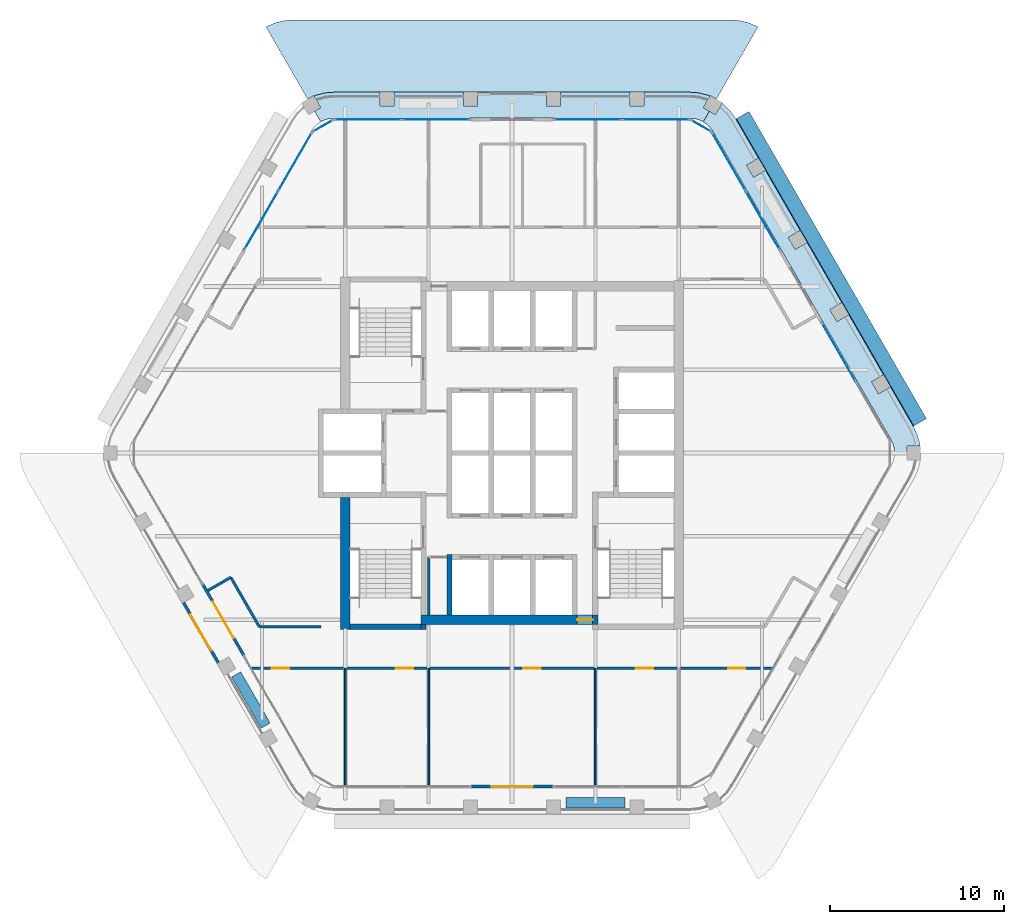
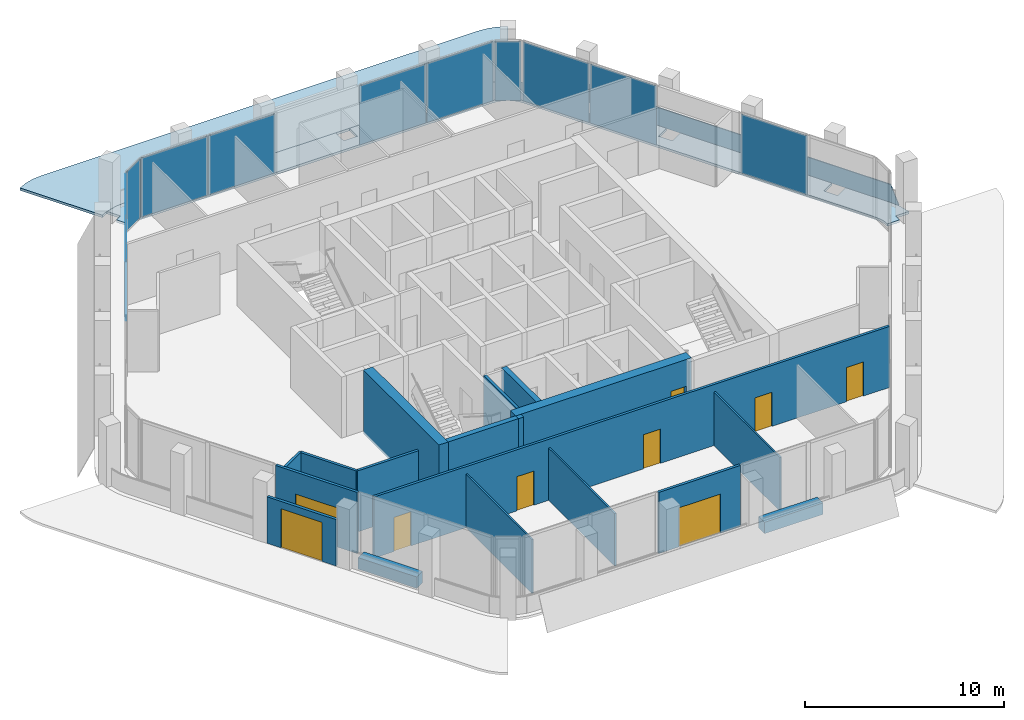
# One storey, part 7 of 14: 18 walls, 12 plates, 9 doors, 3 slabs, 9 openings, 7 elements without a shape of their own.
"""IFC4 building model written with IfcOpenShell, lengths in metres."""

from ifc_helpers import new_model, si_unit, direction, frame, frame_2d, origin, origin_2d, place, context, subcontext, project, spatial, polyline, rectangle, outline, extrude, material, layer, layer_set, type_object, element, fill, aggregate, save


model = new_model("IFC4")

# Units and contexts
model_context = context("Model", 3, precision=1e-05, world=origin(), true_north=direction((0.0, 1.0)))
body_context = subcontext(model_context, "Body", "Model", "MODEL_VIEW")
ifc_project = project(units=[si_unit("LENGTHUNIT", "METRE"), si_unit("AREAUNIT", "SQUARE_METRE"), si_unit("VOLUMEUNIT", "CUBIC_METRE"), si_unit("PLANEANGLEUNIT", "RADIAN"), si_unit("MASSUNIT", "GRAM", prefix="KILO")], contexts=[model_context])

# Site, building, storey
site_placement = place(None, origin())
site = spatial("IfcSite", under=ifc_project, at=site_placement, CompositionType="ELEMENT")
building_placement = place(site_placement, origin())
building = spatial("IfcBuilding", under=site, at=building_placement, Name="Kolab Exchange Tower", CompositionType="ELEMENT")
storey_placement = place(building_placement, frame((0.0, 0.0, 222.800048828125)))
storey = spatial("IfcBuildingStorey", under=building, at=storey_placement, Name="L48", CompositionType="ELEMENT", Elevation=222.800048828125)

# Slabs
ifc_material_1 = material(Name="Concrete C35/45", Category="concrete")
ifc_layer_1 = layer(ifc_material_1, 0.14990234375)
ifc_layer_set_1 = layer_set([ifc_layer_1], Name="Concrete C35/45")
slab_type_1 = type_object("IfcSlabType", Name="LOGGIA SLAB 150", PredefinedType="FLOOR", material=ifc_layer_set_1)
slab_1_placement = place(storey_placement, frame((0.0, 0.0, -0.150146484375)))
element("IfcSlab", 1, at=slab_1_placement, inside=storey, type_object=slab_type_1, Name="slab/L48/loggia/0-0", PredefinedType="FLOOR", context=body_context, shape_type="SweptSolid", body=[
    extrude(outline(polyline([(11.01806640625, 19.083740234375), (11.367919921875, 19.68994140625), (11.021484375, 19.889892578125), (11.404052734375, 20.552490234375), (11.2939453125, 20.603759765625), (10.788818359375, 20.739013671875), (10.26806640625, 20.78466796875), (7.60009765625, 20.78466796875), (7.60009765625, 19.984619140625), (6.800048828125, 19.984619140625), (6.800048828125, 20.78466796875), (2.800048828125, 20.78466796875), (2.800048828125, 19.984619140625), (2.0, 19.984619140625), (2.0, 20.78466796875), (-2.0, 20.78466796875), (-2.0, 19.984619140625), (-2.800048828125, 19.984619140625), (-2.800048828125, 20.78466796875), (-6.800048828125, 20.78466796875), (-6.800048828125, 19.984619140625), (-7.60009765625, 19.984619140625), (-7.60009765625, 20.78466796875), (-10.26806640625, 20.78466796875), (-10.788818359375, 20.739013671875), (-11.2939453125, 20.603759765625), (-11.404052734375, 20.552490234375), (-11.021484375, 19.889892578125), (-11.367919921875, 19.68994140625), (-11.01806640625, 19.083740234375), (-10.781005859375, 19.194091796875), (-10.5283203125, 19.26171875), (-10.26806640625, 19.28466796875), (10.26806640625, 19.28466796875), (10.5283203125, 19.26171875), (10.781005859375, 19.194091796875), (11.01806640625, 19.083740234375)])), origin(), (0.0, 0.0, 1.0), 0.150146484375),
])
slab_2_placement = place(storey_placement, frame((0.0, 0.0, -0.150146484375)))
element("IfcSlab", 2, at=slab_2_placement, inside=storey, type_object=slab_type_1, Name="slab/L48/loggia/1-0", PredefinedType="FLOOR", context=body_context, shape_type="SweptSolid", body=[
    extrude(outline(polyline([(22.035888671875, 0.0), (22.73583984375, 0.0), (22.73583984375, 0.39990234375), (23.5009765625, 0.39990234375), (23.490234375, 0.52099609375), (23.35498046875, 1.026123046875), (23.134033203125, 1.5), (21.800048828125, 3.810546875), (21.107177734375, 3.410400390625), (20.707275390625, 4.103271484375), (21.39990234375, 4.50341796875), (19.39990234375, 7.967529296875), (18.707275390625, 7.5673828125), (18.30712890625, 8.26025390625), (19.0, 8.66015625), (17.0, 12.124267578125), (16.30712890625, 11.724365234375), (15.9072265625, 12.417236328125), (16.60009765625, 12.817138671875), (14.60009765625, 16.28125), (13.9072265625, 15.88134765625), (13.507080078125, 16.57421875), (14.199951171875, 16.97412109375), (12.865966796875, 19.28466796875), (12.566162109375, 19.712890625), (12.1962890625, 20.082763671875), (12.096923828125, 20.15234375), (11.71435546875, 19.48974609375), (11.367919921875, 19.68994140625), (11.01806640625, 19.083740234375), (11.232177734375, 18.93359375), (11.4169921875, 18.748779296875), (11.56689453125, 18.53466796875), (21.8349609375, 0.75), (21.945556640625, 0.512939453125), (22.01318359375, 0.260498046875), (22.035888671875, 0.0)])), origin(), (0.0, 0.0, 1.0), 0.150146484375),
])

# Plate
ifc_material_2 = material(Name="Laminated glass, clear", Category="glass")
ifc_layer_2 = layer(ifc_material_2, 0.0400390625)
ifc_layer_set_2 = layer_set([ifc_layer_2], Name="Laminated glass, clear")
plate_type_1 = type_object("IfcPlateType", Name="OUTER SKIN LAMINATED GLASS SHEET 40", PredefinedType="SHEET", material=ifc_layer_set_2)
plate_1_placement = place(storey_placement, frame((13.6494140625, 19.67919921875, -0.68310546875), z_axis=(0.784886322863, 0.453152182031, 0.422618693508), x_axis=(0.499997422494, -0.866026891901, 1.981408e-06)))
element("IfcPlate", 3, at=plate_1_placement, inside=storey, type_object=plate_type_1, Name="Outer skin", PredefinedType="SHEET", context=body_context, shape_type="SweptSolid", body=[
    extrude(outline(polyline([(0.0, 0.0), (20.435802623779963, 0.0), (20.435856947346753, -1.9860898935068516), (-6.774611643567295e-05, -1.9861792489881693), (0.0, 0.0)])), origin(), (0.0, 0.0, -1.0), 0.0400390625),
])

# Slab
ifc_layer_3 = layer(ifc_material_1, 0.14990234375)
ifc_layer_set_3 = layer_set([ifc_layer_3], Name="Concrete C35/45")
slab_type_2 = type_object("IfcSlabType", Name="TERRACE SLAB 150 PLANTED", PredefinedType="ROOF", material=ifc_layer_set_3)
slab_3_placement = place(storey_placement, frame((0.0, 0.0, -0.150146484375)))
element("IfcSlab", 4, at=slab_3_placement, inside=storey, type_object=slab_type_2, Name="slab/L47/ledge-L48-F1/0", PredefinedType="ROOF", context=body_context, shape_type="SweptSolid", body=[
    extrude(outline(polyline([(-14.16796875, 24.53955078125), (-11.76806640625, 20.382568359375), (-11.421630859375, 20.582763671875), (-11.404052734375, 20.552490234375), (-11.2939453125, 20.603759765625), (-10.788818359375, 20.739013671875), (-10.26806640625, 20.78466796875), (10.26806640625, 20.78466796875), (10.788818359375, 20.739013671875), (11.2939453125, 20.603759765625), (11.404052734375, 20.552490234375), (11.421630859375, 20.582763671875), (11.76806640625, 20.382568359375), (14.16796875, 24.53955078125), (13.694091796875, 24.760498046875), (13.18896484375, 24.89599609375), (12.66796875, 24.941650390625), (-12.66796875, 24.941650390625), (-13.18896484375, 24.89599609375), (-13.694091796875, 24.760498046875), (-14.16796875, 24.53955078125)])), origin(), (0.0, 0.0, 1.0), 0.150146484375),
])

# Curtain wall, plates
ifc_material_3 = material(Name="Aluminium EN AW-6063 T6", Category="aluminium")
curtain_wall_type = type_object("IfcCurtainWallType", Name="UNITISED HIGH ZONE CURTAIN WALL", PredefinedType="NOTDEFINED", material=ifc_material_3)
curtain_wall_1_placement = place(storey_placement, origin())
curtain_wall_1 = element("IfcCurtainWall", 5, at=curtain_wall_1_placement, inside=storey, type_object=curtain_wall_type, Name="cw/L48/F1-1", PredefinedType="NOTDEFINED")
ifc_material_4 = material(Name="Clear insulated glazing unit", Category="glass")
ifc_layer_4 = layer(ifc_material_4, 0.030029296875)
ifc_layer_set_4 = layer_set([ifc_layer_4], Name="Clear insulated glazing unit")
plate_type_2 = type_object("IfcPlateType", Name="UNITISED HIGH ZONE GLASS PANEL 30", PredefinedType="CURTAIN_PANEL", material=ifc_layer_set_4)
plate_2_placement = place(storey_placement, frame((-8.285888671875, 19.20458984375, 0.06005859375), z_axis=(0.0, 0.0, 1.0), x_axis=(1.0, 0.0, 0.0)))
plate_2 = element("IfcPlate", 6, at=plate_2_placement, type_object=plate_type_2, Name="CW4 panel 1.1", PredefinedType="CURTAIN_PANEL", context=body_context, shape_type="SweptSolid", body=[
    extrude(rectangle(XDim=3.843994140625, YDim=0.030029296875, at=origin_2d()), origin(), (0.0, 0.0, 1.0), 3.6298828125),
])
plate_3_placement = place(storey_placement, frame((-4.382080078125, 19.20458984375, 0.06005859375), z_axis=(0.0, 0.0, 1.0), x_axis=(1.0, 0.0, 0.0)))
plate_3 = element("IfcPlate", 7, at=plate_3_placement, type_object=plate_type_2, Name="CW4 panel 2.1", PredefinedType="CURTAIN_PANEL", context=body_context, shape_type="SweptSolid", body=[
    extrude(rectangle(XDim=3.843994140625, YDim=0.030029296875, at=origin_2d()), origin(), (0.0, 0.0, 1.0), 3.6298828125),
])
aggregate(curtain_wall_1, [plate_2, plate_3])

curtain_wall_2_placement = place(storey_placement, origin())
curtain_wall_2 = element("IfcCurtainWall", 8, at=curtain_wall_2_placement, inside=storey, type_object=curtain_wall_type, Name="cw/L48/F1-2", PredefinedType="NOTDEFINED")
plate_4_placement = place(storey_placement, frame((4.382080078125, 19.20458984375, 0.06005859375), z_axis=(0.0, 0.0, 1.0), x_axis=(1.0, 0.0, 0.0)))
plate_4 = element("IfcPlate", 9, at=plate_4_placement, type_object=plate_type_2, Name="CW4 panel 1.1", PredefinedType="CURTAIN_PANEL", context=body_context, shape_type="SweptSolid", body=[
    extrude(rectangle(XDim=3.843994140625, YDim=0.030029296875, at=origin_2d()), origin(), (0.0, 0.0, 1.0), 3.6298828125),
])
plate_5_placement = place(storey_placement, frame((8.285888671875, 19.20458984375, 0.06005859375), z_axis=(0.0, 0.0, 1.0), x_axis=(1.0, 0.0, 0.0)))
plate_5 = element("IfcPlate", 10, at=plate_5_placement, type_object=plate_type_2, Name="CW4 panel 2.1", PredefinedType="CURTAIN_PANEL", context=body_context, shape_type="SweptSolid", body=[
    extrude(rectangle(XDim=3.843994140625, YDim=0.030029296875, at=origin_2d()), origin(), (0.0, 0.0, 1.0), 3.6298828125),
])
aggregate(curtain_wall_2, [plate_4, plate_5])

curtain_wall_3_placement = place(storey_placement, origin())
curtain_wall_3 = element("IfcCurtainWall", 11, at=curtain_wall_3_placement, inside=storey, type_object=curtain_wall_type, Name="cw/L48/F2-1", PredefinedType="NOTDEFINED")
plate_6_placement = place(storey_placement, frame((12.48876953125, 16.778076171875, 0.06005859375), z_axis=(0.0, 0.0, 1.0), x_axis=(0.500000031681, -0.866025385493, 0.0)))
plate_6 = element("IfcPlate", 12, at=plate_6_placement, type_object=plate_type_2, Name="CW4 panel 1.1", PredefinedType="CURTAIN_PANEL", context=body_context, shape_type="SweptSolid", body=[
    extrude(rectangle(XDim=3.843994140625, YDim=0.030029296875, at=origin_2d()), origin(), (0.0, 0.0, 1.0), 3.6298828125),
])
plate_7_placement = place(storey_placement, frame((14.440673828125, 13.397216796875, 0.06005859375), z_axis=(0.0, 0.0, 1.0), x_axis=(0.500000031681, -0.866025385493, 0.0)))
plate_7 = element("IfcPlate", 13, at=plate_7_placement, type_object=plate_type_2, Name="CW4 panel 2.1", PredefinedType="CURTAIN_PANEL", context=body_context, shape_type="SweptSolid", body=[
    extrude(rectangle(XDim=3.843994140625, YDim=0.030029296875, at=origin_2d()), origin(), (0.0, 0.0, 1.0), 3.6298828125),
])
aggregate(curtain_wall_3, [plate_6, plate_7])

# Curtain wall, plate
curtain_wall_4_placement = place(storey_placement, origin())
curtain_wall_4 = element("IfcCurtainWall", 14, at=curtain_wall_4_placement, inside=storey, type_object=curtain_wall_type, Name="cw/L48/F2-2", PredefinedType="NOTDEFINED")
plate_8_placement = place(storey_placement, frame((18.82275390625, 5.807373046875, 0.06005859375), z_axis=(0.0, 0.0, 1.0), x_axis=(0.499999936366, -0.866025440524, 0.0)))
plate_8 = element("IfcPlate", 15, at=plate_8_placement, type_object=plate_type_2, Name="CW4 panel 1.1", PredefinedType="CURTAIN_PANEL", context=body_context, shape_type="SweptSolid", body=[
    extrude(rectangle(XDim=3.843994140625, YDim=0.030029296875, at=origin_2d()), origin(), (0.0, 0.0, 1.0), 3.6298828125),
])
aggregate(curtain_wall_4, [plate_8])

# Curtain wall, plates
curtain_wall_5_placement = place(storey_placement, origin())
curtain_wall_5 = element("IfcCurtainWall", 16, at=curtain_wall_5_placement, inside=storey, type_object=curtain_wall_type, Name="cw/L48/F6-2", PredefinedType="NOTDEFINED")
plate_9_placement = place(storey_placement, frame((-14.440673828125, 13.397216796875, 0.06005859375), z_axis=(0.0, 0.0, 1.0), x_axis=(0.500000031681, 0.866025385493, 0.0)))
plate_9 = element("IfcPlate", 17, at=plate_9_placement, type_object=plate_type_2, Name="CW4 panel 1.1", PredefinedType="CURTAIN_PANEL", context=body_context, shape_type="SweptSolid", body=[
    extrude(rectangle(XDim=3.843994140625, YDim=0.030029296875, at=origin_2d()), origin(), (0.0, 0.0, 1.0), 3.6298828125),
])
plate_10_placement = place(storey_placement, frame((-12.48876953125, 16.778076171875, 0.06005859375), z_axis=(0.0, 0.0, 1.0), x_axis=(0.500000031681, 0.866025385493, 0.0)))
plate_10 = element("IfcPlate", 18, at=plate_10_placement, type_object=plate_type_2, Name="CW4 panel 2.1", PredefinedType="CURTAIN_PANEL", context=body_context, shape_type="SweptSolid", body=[
    extrude(rectangle(XDim=3.843994140625, YDim=0.030029296875, at=origin_2d()), origin(), (0.0, 0.0, 1.0), 3.6298828125),
])
aggregate(curtain_wall_5, [plate_9, plate_10])

# Curtain wall, plate
curtain_wall_6_placement = place(storey_placement, origin())
curtain_wall_6 = element("IfcCurtainWall", 19, at=curtain_wall_6_placement, inside=storey, type_object=curtain_wall_type, Name="cw/L48/F1F2-corner", PredefinedType="NOTDEFINED")
plate_11_placement = place(storey_placement, frame((10.8828125, 18.849609375, 0.06005859375), z_axis=(0.0, 0.0, 1.0), x_axis=(0.866025390869, -0.50000002237, 0.0)))
plate_11 = element("IfcPlate", 20, at=plate_11_placement, type_object=plate_type_2, Name="CW4 panel 1.1", PredefinedType="CURTAIN_PANEL", context=body_context, shape_type="SweptSolid", body=[
    extrude(rectangle(XDim=1.300048828125, YDim=0.030029296875, at=origin_2d()), origin(), (0.0, 0.0, 1.0), 3.6298828125),
])
aggregate(curtain_wall_6, [plate_11])

curtain_wall_7_placement = place(storey_placement, origin())
curtain_wall_7 = element("IfcCurtainWall", 21, at=curtain_wall_7_placement, inside=storey, type_object=curtain_wall_type, Name="cw/L48/F6F1-corner", PredefinedType="NOTDEFINED")
plate_12_placement = place(storey_placement, frame((-10.8828125, 18.849609375, 0.06005859375), z_axis=(0.0, 0.0, 1.0), x_axis=(0.866025390869, 0.50000002237, 0.0)))
plate_12 = element("IfcPlate", 22, at=plate_12_placement, type_object=plate_type_2, Name="CW4 panel 1.1", PredefinedType="CURTAIN_PANEL", context=body_context, shape_type="SweptSolid", body=[
    extrude(rectangle(XDim=1.300048828125, YDim=0.030029296875, at=origin_2d()), origin(), (0.0, 0.0, 1.0), 3.6298828125),
])
aggregate(curtain_wall_7, [plate_12])

# Wall, opening, door
ifc_material_5 = material(Name="Concrete C50/60", Category="concrete")
ifc_layer_5 = layer(ifc_material_5, 0.550048828125)
ifc_layer_set_5 = layer_set([ifc_layer_5], Name="Concrete C50/60")
wall_type_1 = type_object("IfcWallType", Name="CORE WALL 550 C50/60", PredefinedType="SHEAR", material=ifc_layer_set_5)
wall_1_placement = place(storey_placement, frame((-5.25, -9.60009765625, -0.150146484375), z_axis=(0.0, 0.0, 1.0), x_axis=(1.0, 0.0, 0.0)))
wall_1 = element("IfcWall", 23, at=wall_1_placement, inside=storey, type_object=wall_type_1, Name="wall/L48/core/002", PredefinedType="SHEAR", context=body_context, shape_type="SweptSolid", body=[
    extrude(rectangle(XDim=10.199951171875, YDim=0.550048828125, at=frame_2d((5.10009765625, 0.0))), origin(), (0.0, 0.0, 1.0), 3.900146484375),
])
opening_1_placement = place(wall_1_placement, frame((9.0, 0.0, 0.14990234375)))
opening_1 = element("IfcOpeningElement", 24, at=opening_1_placement, cuts=wall_1, Name="Opening D6-296", PredefinedType="OPENING", context=body_context, shape_type="SweptSolid", body=[
    extrude(rectangle(XDim=0.89990234375, YDim=2.10009765625, at=frame_2d((0.449951171875, 1.050048828125))), frame((0.0, 0.28515625, 0.0), z_axis=(0.0, -1.0, 0.0), x_axis=(1.0, 0.0, 0.0)), (0.0, 0.0, 1.0), 0.570068359375),
])
ifc_material_6 = material(Name="Steel S235", Category="steel")
door_type_1 = type_object("IfcDoorType", Name="CORE DOOR 900 EI 120", OperationType="SINGLE_SWING_LEFT", PredefinedType="DOOR", material=ifc_material_6)
door_1_placement = place(opening_1_placement, origin())
door_1 = element("IfcDoor", 25, at=door_1_placement, inside=storey, type_object=door_type_1, Name="Core lobby door", OperationType="SINGLE_SWING_LEFT", OverallHeight=2.10009765625, OverallWidth=0.89990234375, PredefinedType="DOOR", context=body_context, shape_type="SweptSolid", body=[
    extrude(rectangle(XDim=0.89990234375, YDim=2.10009765625, at=frame_2d((0.449951171875, 1.050048828125))), frame((0.0, 0.02490234375, 0.0), z_axis=(0.0, -1.0, 0.0), x_axis=(1.0, 0.0, 0.0)), (0.0, 0.0, 1.0), 0.050048828125),
])
fill(opening_1, door_1)

# Wall
wall_2_placement = place(storey_placement, frame((-9.60009765625, -10.14990234375, -0.150146484375), z_axis=(0.0, 0.0, 1.0), x_axis=(0.0, 1.0, 0.0)))
element("IfcWall", 26, at=wall_2_placement, inside=storey, type_object=wall_type_1, Name="wall/L48/core/034", PredefinedType="SHEAR", context=body_context, shape_type="SweptSolid", body=[
    extrude(rectangle(XDim=7.599853515625, YDim=0.550048828125, at=frame_2d((3.7998046875, 0.0))), origin(), (0.0, 0.0, 1.0), 3.900146484375),
])

# Wall, opening, door
ifc_layer_6 = layer(ifc_material_3, 0.159912109375)
ifc_layer_set_6 = layer_set([ifc_layer_6], Name="Aluminium EN AW-6063 T6")
wall_type_2 = type_object("IfcWallType", Name="DOOR SURROUND WALL 160 ALUMINIUM FRAMED", PredefinedType="PARTITIONING", material=ifc_layer_set_6)
wall_3_placement = place(storey_placement, frame((2.3701171875, -19.20458984375, 0.0), z_axis=(0.0, 0.0, 1.0), x_axis=(-1.0, 0.0, 0.0)))
wall_3 = element("IfcWall", 27, at=wall_3_placement, inside=storey, type_object=wall_type_2, Name="Door surround wall", PredefinedType="PARTITIONING", context=body_context, shape_type="SweptSolid", body=[
    extrude(rectangle(XDim=4.740234375, YDim=0.159912109375, at=frame_2d((2.3701171875, 0.0))), origin(), (0.0, 0.0, 1.0), 3.75),
])
opening_2_placement = place(wall_3_placement, frame((1.169921875, 0.0, 0.0)))
opening_2 = element("IfcOpeningElement", 28, at=opening_2_placement, cuts=wall_3, Name="Opening GD1-092", PredefinedType="OPENING", context=body_context, shape_type="SweptSolid", body=[
    extrude(rectangle(XDim=2.39990234375, YDim=2.39990234375, at=frame_2d((1.199951171875, 1.199951171875))), frame((0.0, 0.08984375, 0.0), z_axis=(0.0, -1.0, 0.0), x_axis=(1.0, 0.0, 0.0)), (0.0, 0.0, 1.0), 0.179931640625),
])
door_type_2 = type_object("IfcDoorType", Name="LOGGIA SLIDING GLASS DOOR 2400 X 2400", OperationType="DOUBLE_DOOR_SINGLE_SWING", PredefinedType="DOOR", material=ifc_material_3)
door_2_placement = place(opening_2_placement, origin())
door_2 = element("IfcDoor", 29, at=door_2_placement, inside=storey, type_object=door_type_2, Name="Loggia door", OperationType="DOUBLE_DOOR_SLIDING", OverallHeight=2.39990234375, OverallWidth=2.39990234375, PredefinedType="DOOR", context=body_context, shape_type="SweptSolid", body=[
    extrude(rectangle(XDim=2.39990234375, YDim=2.39990234375, at=frame_2d((1.199951171875, 1.199951171875))), frame((0.0, 0.02490234375, 0.0), z_axis=(0.0, -1.0, 0.0), x_axis=(1.0, 0.0, 0.0)), (0.0, 0.0, 1.0), 0.050048828125),
])
fill(opening_2, door_2)

wall_4_placement = place(storey_placement, frame((-15.44677734375, -11.65478515625, 0.0), z_axis=(0.0, 0.0, 1.0), x_axis=(-0.499978080042, 0.866038058908, 0.0)))
wall_4 = element("IfcWall", 30, at=wall_4_placement, inside=storey, type_object=wall_type_2, Name="Door surround wall", PredefinedType="PARTITIONING", context=body_context, shape_type="SweptSolid", body=[
    extrude(rectangle(XDim=4.739990234375, YDim=0.159912109375, at=frame_2d((2.3701171875, 0.0))), origin(), (0.0, 0.0, 1.0), 3.75),
])
opening_3_placement = place(wall_4_placement, frame((1.169921875, 0.0, 0.0)))
opening_3 = element("IfcOpeningElement", 31, at=opening_3_placement, cuts=wall_4, Name="Opening GD1-093", PredefinedType="OPENING", context=body_context, shape_type="SweptSolid", body=[
    extrude(rectangle(XDim=2.39990234375, YDim=2.39990234375, at=frame_2d((1.199951171875, 1.199951171875))), frame((0.0, 0.08984375, 0.0), z_axis=(0.0, -1.0, 0.0), x_axis=(1.0, 0.0, 0.0)), (0.0, 0.0, 1.0), 0.179931640625),
])
door_3_placement = place(opening_3_placement, origin())
door_3 = element("IfcDoor", 32, at=door_3_placement, inside=storey, type_object=door_type_2, Name="Loggia door", OperationType="DOUBLE_DOOR_SLIDING", OverallHeight=2.39990234375, OverallWidth=2.39990234375, PredefinedType="DOOR", context=body_context, shape_type="SweptSolid", body=[
    extrude(rectangle(XDim=2.39990234375, YDim=2.39990234375, at=frame_2d((1.199951171875, 1.199951171875))), frame((0.0, 0.02490234375, 0.0), z_axis=(0.0, -1.0, 0.0), x_axis=(1.0, 0.0, 0.0)), (0.0, 0.0, 1.0), 0.050048828125),
])
fill(opening_3, door_3)

wall_5_placement = place(storey_placement, frame((-16.914306640625, -12.072509765625, 0.0), z_axis=(0.0, 0.0, 1.0), x_axis=(-0.500029202507, 0.866008543052, 0.0)))
wall_5 = element("IfcWall", 33, at=wall_5_placement, inside=storey, type_object=wall_type_2, Name="Door surround wall", PredefinedType="PARTITIONING", context=body_context, shape_type="SweptSolid", body=[
    extrude(rectangle(XDim=3.995849609375, YDim=0.159912109375, at=frame_2d((1.998046875, 0.0))), origin(), (0.0, 0.0, 1.0), 2.849853515625),
])
opening_4_placement = place(wall_5_placement, frame((0.798095703125, 0.0, 0.0)))
opening_4 = element("IfcOpeningElement", 34, at=opening_4_placement, cuts=wall_5, Name="Opening GD1-097", PredefinedType="OPENING", context=body_context, shape_type="SweptSolid", body=[
    extrude(rectangle(XDim=2.39990234375, YDim=2.39990234375, at=frame_2d((1.199951171875, 1.199951171875))), frame((0.0, 0.08984375, 0.0), z_axis=(0.0, -1.0, 0.0), x_axis=(1.0, 0.0, 0.0)), (0.0, 0.0, 1.0), 0.179931640625),
])
door_4_placement = place(opening_4_placement, origin())
door_4 = element("IfcDoor", 35, at=door_4_placement, inside=storey, type_object=door_type_2, Name="Terrace door", OperationType="DOUBLE_DOOR_SLIDING", OverallHeight=2.39990234375, OverallWidth=2.39990234375, PredefinedType="DOOR", context=body_context, shape_type="SweptSolid", body=[
    extrude(rectangle(XDim=2.39990234375, YDim=2.39990234375, at=frame_2d((1.199951171875, 1.199951171875))), frame((0.0, 0.02490234375, 0.0), z_axis=(0.0, -1.0, 0.0), x_axis=(1.0, 0.0, 0.0)), (0.0, 0.0, 1.0), 0.050048828125),
])
fill(opening_4, door_4)

# Walls
ifc_layer_7 = layer(ifc_material_5, 0.300048828125)
ifc_layer_set_7 = layer_set([ifc_layer_7], Name="Concrete C50/60")
wall_type_3 = type_object("IfcWallType", Name="LIFT SHAFT WALL 300 C50/60", PredefinedType="STANDARD", material=ifc_layer_set_7)
wall_6_placement = place(storey_placement, frame((-3.60009765625, -9.324951171875, -0.150146484375), z_axis=(0.0, 0.0, 1.0), x_axis=(0.0, 1.0, 0.0)))
element("IfcWall", 36, at=wall_6_placement, inside=storey, type_object=wall_type_3, Name="wall/L48/core/043", PredefinedType="STANDARD", context=body_context, shape_type="SweptSolid", body=[
    extrude(rectangle(XDim=3.474853515625, YDim=0.300048828125, at=frame_2d((1.7373046875, 0.0))), origin(), (0.0, 0.0, 1.0), 3.900146484375),
])
ifc_material_7 = material(Name="Gypsum board", Category="gypsum")
ifc_layer_8 = layer(ifc_material_7, 0.10009765625)
ifc_layer_set_8 = layer_set([ifc_layer_8], Name="Gypsum board")
wall_type_4 = type_object("IfcWallType", Name="PARTITION 100", PredefinedType="PARTITIONING", material=ifc_layer_set_8)
wall_7_placement = place(storey_placement, frame((4.800048828125, -19.114501953125, 0.0), z_axis=(0.0, 0.0, 1.0), x_axis=(0.0, 1.0, 0.0)))
element("IfcWall", 37, at=wall_7_placement, inside=storey, type_object=wall_type_4, Name="Partition 002", PredefinedType="PARTITIONING", context=body_context, shape_type="SweptSolid", body=[
    extrude(rectangle(XDim=6.714599609375, YDim=0.10009765625, at=frame_2d((3.357421875, 0.0))), origin(), (0.0, 0.0, 1.0), 3.29296875),
])
wall_8_placement = place(storey_placement, frame((-4.800048828125, -19.114501953125, 0.0), z_axis=(0.0, 0.0, 1.0), x_axis=(0.0, 1.0, 0.0)))
element("IfcWall", 38, at=wall_8_placement, inside=storey, type_object=wall_type_4, Name="Partition 008", PredefinedType="PARTITIONING", context=body_context, shape_type="SweptSolid", body=[
    extrude(rectangle(XDim=6.714599609375, YDim=0.10009765625, at=frame_2d((3.357421875, 0.0))), origin(), (0.0, 0.0, 1.0), 3.217041015625),
])
wall_9_placement = place(storey_placement, frame((-9.60009765625, -19.114501953125, 0.0), z_axis=(0.0, 0.0, 1.0), x_axis=(0.0, 1.0, 0.0)))
element("IfcWall", 39, at=wall_9_placement, inside=storey, type_object=wall_type_4, Name="Partition 011", PredefinedType="PARTITIONING", context=body_context, shape_type="SweptSolid", body=[
    extrude(rectangle(XDim=6.714599609375, YDim=0.10009765625, at=frame_2d((3.357421875, 0.0))), origin(), (0.0, 0.0, 1.0), 3.29296875),
])
ifc_layer_9 = layer(ifc_material_7, 0.14990234375)
ifc_layer_set_9 = layer_set([ifc_layer_9], Name="Gypsum board")
wall_type_5 = type_object("IfcWallType", Name="PARTITION 150 FIRE-RATED", PredefinedType="PARTITIONING", material=ifc_layer_set_9)
wall_10_placement = place(storey_placement, frame((-4.800048828125, -9.324951171875, 0.0), z_axis=(0.0, 0.0, 1.0), x_axis=(0.0, 1.0, 0.0)))
element("IfcWall", 40, at=wall_10_placement, inside=storey, type_object=wall_type_5, Name="Partition 010", PredefinedType="PARTITIONING", context=body_context, shape_type="SweptSolid", body=[
    extrude(rectangle(XDim=3.324951171875, YDim=0.14990234375, at=frame_2d((1.66259765625, 0.0))), origin(), (0.0, 0.0, 1.0), 3.75),
])
wall_11_placement = place(storey_placement, frame((-16.196044921875, -7.15673828125, 0.0), z_axis=(0.0, 0.0, 1.0), x_axis=(0.499954196102, -0.866051847062, 0.0)))
element("IfcWall", 41, at=wall_11_placement, inside=storey, type_object=wall_type_5, Name="Partition 013", PredefinedType="PARTITIONING", context=body_context, shape_type="SweptSolid", body=[
    extrude(rectangle(XDim=3.282958984375, YDim=0.14990234375, at=frame_2d((1.6416015625, 0.0))), origin(), (0.0, 0.0, 1.0), 3.75),
])
wall_12_placement = place(storey_placement, frame((-17.512451171875, -7.9169921875, 0.0), z_axis=(0.0, 0.0, 1.0), x_axis=(0.865960906633, 0.500111695708, 0.0)))
element("IfcWall", 42, at=wall_12_placement, inside=storey, type_object=wall_type_5, Name="Partition 020", PredefinedType="PARTITIONING", context=body_context, shape_type="SweptSolid", body=[
    extrude(rectangle(XDim=1.520263671875, YDim=0.14990234375, at=frame_2d((0.76025390625, 0.0))), origin(), (0.0, 0.0, 1.0), 3.75),
])

# Wall, openings, doors
wall_13_placement = place(storey_placement, frame((-14.97021484375, -12.39990234375, 0.0), z_axis=(0.0, 0.0, 1.0), x_axis=(1.0, 0.0, 0.0)))
wall_13 = element("IfcWall", 43, at=wall_13_placement, inside=storey, type_object=wall_type_5, Name="Partition 021", PredefinedType="PARTITIONING", context=body_context, shape_type="SweptSolid", body=[
    extrude(rectangle(XDim=29.9404296875, YDim=0.14990234375, at=frame_2d((14.97021484375, 0.0))), origin(), (0.0, 0.0, 1.0), 3.75),
])
opening_5_placement = place(wall_13_placement, frame((1.138671875, 0.0, 0.0)))
opening_5 = element("IfcOpeningElement", 44, at=opening_5_placement, cuts=wall_13, Name="Opening D1-638", PredefinedType="OPENING", context=body_context, shape_type="SweptSolid", body=[
    extrude(rectangle(XDim=1.0, YDim=2.10009765625, at=frame_2d((0.5, 1.050048828125))), frame((0.0, 0.0849609375, 0.0), z_axis=(0.0, -1.0, 0.0), x_axis=(1.0, 0.0, 0.0)), (0.0, 0.0, 1.0), 0.169921875),
])
opening_6_placement = place(wall_13_placement, frame((8.28515625, 0.0, 0.0)))
opening_6 = element("IfcOpeningElement", 45, at=opening_6_placement, cuts=wall_13, Name="Opening D1-639", PredefinedType="OPENING", context=body_context, shape_type="SweptSolid", body=[
    extrude(rectangle(XDim=1.0, YDim=2.10009765625, at=frame_2d((0.5, 1.050048828125))), frame((0.0, 0.0849609375, 0.0), z_axis=(0.0, -1.0, 0.0), x_axis=(1.0, 0.0, 0.0)), (0.0, 0.0, 1.0), 0.169921875),
])
opening_7_placement = place(wall_13_placement, frame((15.625244140625, 0.0, 0.0)))
opening_7 = element("IfcOpeningElement", 46, at=opening_7_placement, cuts=wall_13, Name="Opening D1-640", PredefinedType="OPENING", context=body_context, shape_type="SweptSolid", body=[
    extrude(rectangle(XDim=1.0, YDim=2.10009765625, at=frame_2d((0.5, 1.050048828125))), frame((0.0, 0.0849609375, 0.0), z_axis=(0.0, -1.0, 0.0), x_axis=(1.0, 0.0, 0.0)), (0.0, 0.0, 1.0), 0.169921875),
])
opening_8_placement = place(wall_13_placement, frame((22.105224609375, 0.0, 0.0)))
opening_8 = element("IfcOpeningElement", 47, at=opening_8_placement, cuts=wall_13, Name="Opening D1-641", PredefinedType="OPENING", context=body_context, shape_type="SweptSolid", body=[
    extrude(rectangle(XDim=1.0, YDim=2.10009765625, at=frame_2d((0.5, 1.050048828125))), frame((0.0, 0.0849609375, 0.0), z_axis=(0.0, -1.0, 0.0), x_axis=(1.0, 0.0, 0.0)), (0.0, 0.0, 1.0), 0.169921875),
])
opening_9_placement = place(wall_13_placement, frame((27.410888671875, 0.0, 0.0)))
opening_9 = element("IfcOpeningElement", 48, at=opening_9_placement, cuts=wall_13, Name="Opening D1-642", PredefinedType="OPENING", context=body_context, shape_type="SweptSolid", body=[
    extrude(rectangle(XDim=1.0, YDim=2.10009765625, at=frame_2d((0.5, 1.050048828125))), frame((0.0, 0.0849609375, 0.0), z_axis=(0.0, -1.0, 0.0), x_axis=(1.0, 0.0, 0.0)), (0.0, 0.0, 1.0), 0.169921875),
])
door_type_3 = type_object("IfcDoorType", Name="FLUSH DOOR 1000 FD60", OperationType="SINGLE_SWING_LEFT", PredefinedType="DOOR", material=ifc_material_6)
door_5_placement = place(opening_5_placement, frame((1.0, 0.0, 0.0), z_axis=(0.0, 0.0, 1.0), x_axis=(-1.0, 0.0, 0.0)))
door_5 = element("IfcDoor", 49, at=door_5_placement, inside=storey, type_object=door_type_3, Name="Door L48-034", OperationType="SINGLE_SWING_LEFT", OverallHeight=2.10009765625, OverallWidth=1.0, PredefinedType="DOOR", context=body_context, shape_type="SweptSolid", body=[
    extrude(rectangle(XDim=1.0, YDim=2.10009765625, at=frame_2d((0.5, 1.050048828125))), frame((0.0, 0.02490234375, 0.0), z_axis=(0.0, -1.0, 0.0), x_axis=(1.0, 0.0, 0.0)), (0.0, 0.0, 1.0), 0.050048828125),
])
fill(opening_5, door_5)
door_6_placement = place(opening_6_placement, frame((1.0, 0.0, 0.0), z_axis=(0.0, 0.0, 1.0), x_axis=(-1.0, 0.0, 0.0)))
door_6 = element("IfcDoor", 50, at=door_6_placement, inside=storey, type_object=door_type_3, Name="Door L48-035", OperationType="SINGLE_SWING_RIGHT", OverallHeight=2.10009765625, OverallWidth=1.0, PredefinedType="DOOR", context=body_context, shape_type="SweptSolid", body=[
    extrude(rectangle(XDim=1.0, YDim=2.10009765625, at=frame_2d((0.5, 1.050048828125))), frame((0.0, 0.02490234375, 0.0), z_axis=(0.0, -1.0, 0.0), x_axis=(1.0, 0.0, 0.0)), (0.0, 0.0, 1.0), 0.050048828125),
])
fill(opening_6, door_6)
door_7_placement = place(opening_7_placement, frame((1.0, 0.0, 0.0), z_axis=(0.0, 0.0, 1.0), x_axis=(-1.0, 0.0, 0.0)))
door_7 = element("IfcDoor", 51, at=door_7_placement, inside=storey, type_object=door_type_3, Name="Door L48-036", OperationType="SINGLE_SWING_RIGHT", OverallHeight=2.10009765625, OverallWidth=1.0, PredefinedType="DOOR", context=body_context, shape_type="SweptSolid", body=[
    extrude(rectangle(XDim=1.0, YDim=2.10009765625, at=frame_2d((0.5, 1.050048828125))), frame((0.0, 0.02490234375, 0.0), z_axis=(0.0, -1.0, 0.0), x_axis=(1.0, 0.0, 0.0)), (0.0, 0.0, 1.0), 0.050048828125),
])
fill(opening_7, door_7)
door_8_placement = place(opening_8_placement, frame((1.0, 0.0, 0.0), z_axis=(0.0, 0.0, 1.0), x_axis=(-1.0, 0.0, 0.0)))
door_8 = element("IfcDoor", 52, at=door_8_placement, inside=storey, type_object=door_type_3, Name="Door L48-037", OperationType="SINGLE_SWING_RIGHT", OverallHeight=2.10009765625, OverallWidth=1.0, PredefinedType="DOOR", context=body_context, shape_type="SweptSolid", body=[
    extrude(rectangle(XDim=1.0, YDim=2.10009765625, at=frame_2d((0.5, 1.050048828125))), frame((0.0, 0.02490234375, 0.0), z_axis=(0.0, -1.0, 0.0), x_axis=(1.0, 0.0, 0.0)), (0.0, 0.0, 1.0), 0.050048828125),
])
fill(opening_8, door_8)
door_9_placement = place(opening_9_placement, frame((1.0, 0.0, 0.0), z_axis=(0.0, 0.0, 1.0), x_axis=(-1.0, 0.0, 0.0)))
door_9 = element("IfcDoor", 53, at=door_9_placement, inside=storey, type_object=door_type_3, Name="Door L48-038", OperationType="SINGLE_SWING_RIGHT", OverallHeight=2.10009765625, OverallWidth=1.0, PredefinedType="DOOR", context=body_context, shape_type="SweptSolid", body=[
    extrude(rectangle(XDim=1.0, YDim=2.10009765625, at=frame_2d((0.5, 1.050048828125))), frame((0.0, 0.02490234375, 0.0), z_axis=(0.0, -1.0, 0.0), x_axis=(1.0, 0.0, 0.0)), (0.0, 0.0, 1.0), 0.050048828125),
])
fill(opening_9, door_9)

# Walls
wall_14_placement = place(storey_placement, frame((-14.5546875, -10.0, 0.0), z_axis=(0.0, 0.0, 1.0), x_axis=(1.0, 0.0, 0.0)))
element("IfcWall", 54, at=wall_14_placement, inside=storey, type_object=wall_type_5, Name="Partition 022", PredefinedType="PARTITIONING", context=body_context, shape_type="SweptSolid", body=[
    extrude(rectangle(XDim=3.5546875, YDim=0.14990234375, at=frame_2d((1.77734375, 0.0))), origin(), (0.0, 0.0, 1.0), 3.75),
])
ifc_material_8 = material(Name="Granite facing", Category="masonry")
ifc_layer_10 = layer(ifc_material_8, 0.0400390625)
ifc_material_9 = material(Name="Concrete C40/50 precast", Category="concrete")
ifc_layer_11 = layer(ifc_material_9, 0.56005859375)
ifc_layer_set_10 = layer_set([ifc_layer_10, ifc_layer_11], Name="Concrete C40/50 precast")
wall_type_6 = type_object("IfcWallType", Name="PLANTER BOX 600 X 700 SOIL DEPTH 550", PredefinedType="USERDEFINED", material=ifc_layer_set_10)
wall_15_placement = place(storey_placement, frame((6.5, -20.134521484375, 0.0), z_axis=(0.0, 0.0, 1.0), x_axis=(-1.0, 0.0, 0.0)))
element("IfcWall", 55, at=wall_15_placement, inside=storey, type_object=wall_type_6, Name="Planter", ObjectType="PLANTER", PredefinedType="USERDEFINED", context=body_context, shape_type="SweptSolid", body=[
    extrude(rectangle(XDim=3.39990234375, YDim=0.60009765625, at=frame_2d((1.699951171875, 0.0))), origin(), (0.0, 0.0, 1.0), 0.699951171875),
])
wall_16_placement = place(storey_placement, frame((-14.18701171875, -15.696533203125, 0.0), z_axis=(0.0, 0.0, 1.0), x_axis=(-0.499977295307, 0.866038511948, 0.0)))
element("IfcWall", 56, at=wall_16_placement, inside=storey, type_object=wall_type_6, Name="Planter", ObjectType="PLANTER", PredefinedType="USERDEFINED", context=body_context, shape_type="SweptSolid", body=[
    extrude(rectangle(XDim=3.400146484375, YDim=0.60009765625, at=frame_2d((1.7001953125, 0.0))), origin(), (0.0, 0.0, 1.0), 0.699951171875),
])
ifc_layer_12 = layer(ifc_material_5, 0.300048828125)
ifc_layer_set_11 = layer_set([ifc_layer_12], Name="Concrete C50/60")
wall_type_7 = type_object("IfcWallType", Name="STAIR ENCLOSURE WALL 300 C50/60", PredefinedType="STANDARD", material=ifc_layer_set_11)
wall_17_placement = place(storey_placement, frame((-9.324951171875, -10.0, -0.150146484375), z_axis=(0.0, 0.0, 1.0), x_axis=(1.0, 0.0, 0.0)))
element("IfcWall", 57, at=wall_17_placement, inside=storey, type_object=wall_type_7, Name="wall/L48/core/000", PredefinedType="STANDARD", context=body_context, shape_type="SweptSolid", body=[
    extrude(rectangle(XDim=4.074951171875, YDim=0.300048828125, at=frame_2d((2.03759765625, 0.0))), origin(), (0.0, 0.0, 1.0), 3.900146484375),
])
wall_18_placement = place(storey_placement, frame((-5.10009765625, -10.14990234375, -0.150146484375), z_axis=(0.0, 0.0, 1.0), x_axis=(0.0, 1.0, 0.0)))
element("IfcWall", 58, at=wall_18_placement, inside=storey, type_object=wall_type_7, Name="wall/L48/core/039", PredefinedType="STANDARD", context=body_context, shape_type="SweptSolid", body=[
    extrude(rectangle(XDim=0.27490234375, YDim=0.300048828125, at=frame_2d((0.137451171875, 0.0))), origin(), (0.0, 0.0, 1.0), 3.900146484375),
])

save(model, "model.ifc")
